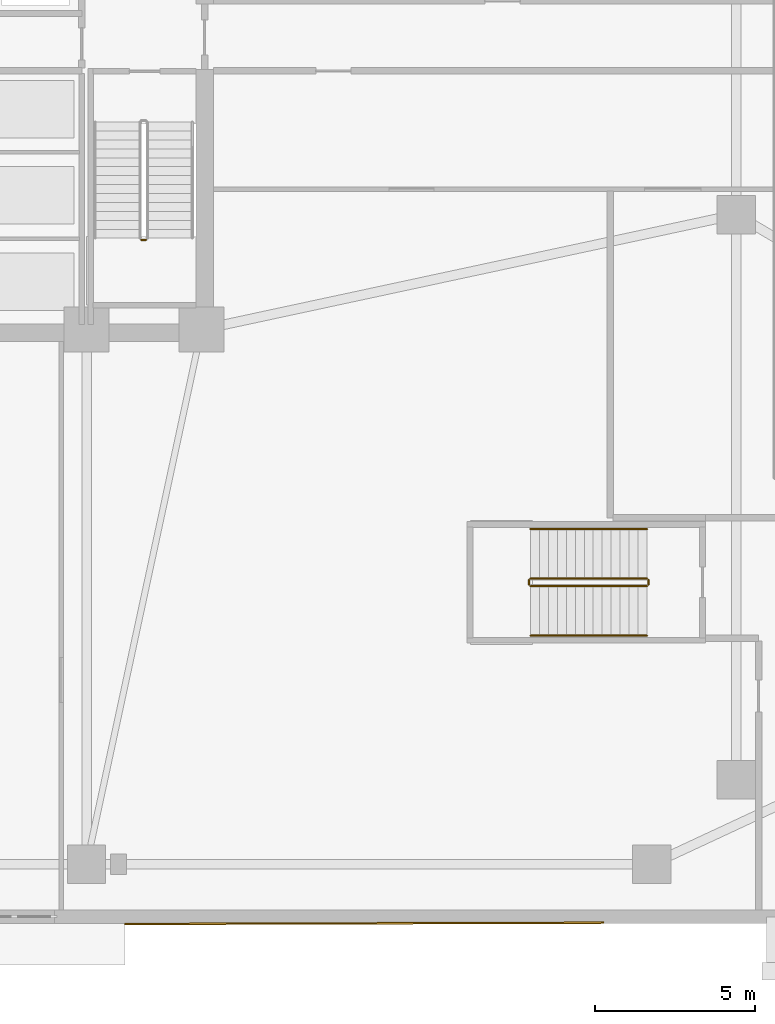
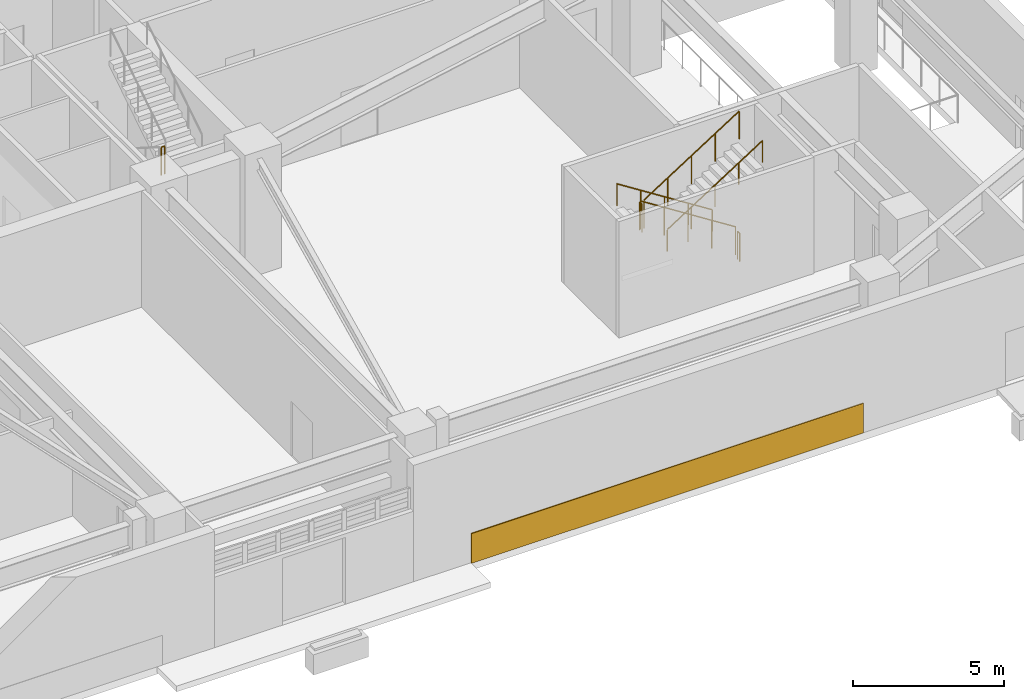
# One storey, part 15 of 21: 7 railings, 1 covering.
"""IFC4 building model written with IfcOpenShell, lengths in metres."""

from ifc_helpers import new_model, si_unit, direction, frame, frame_2d, origin, origin_2d, place, context, subcontext, project, spatial, rectangle, circle, extrude, material, layer, layer_set, type_object, element, save


model = new_model("IFC4")

# Units and contexts
model_context = context("Model", 3, precision=1e-05, world=origin(), true_north=direction((0.0, 1.0)))
body_context = subcontext(model_context, "Body", "Model", "MODEL_VIEW")
ifc_project = project(units=[si_unit("LENGTHUNIT", "METRE"), si_unit("AREAUNIT", "SQUARE_METRE"), si_unit("VOLUMEUNIT", "CUBIC_METRE"), si_unit("PLANEANGLEUNIT", "RADIAN"), si_unit("MASSUNIT", "GRAM", prefix="KILO")], contexts=[model_context])

# Site, building, storey
site_placement = place(None, origin())
site = spatial("IfcSite", under=ifc_project, at=site_placement, CompositionType="ELEMENT")
building_placement = place(site_placement, origin())
building = spatial("IfcBuilding", under=site, at=building_placement, Name="Cairnveth Concourse Tower", CompositionType="ELEMENT")
storey_placement = place(building_placement, origin())
storey = spatial("IfcBuildingStorey", under=building, at=storey_placement, Name="L00", CompositionType="ELEMENT", Elevation=0.0)

# Covering
ifc_material_1 = material(Name="Dressed Melbourne Bluestone Cladding", Category="masonry")
ifc_layer = layer(ifc_material_1, 0.050048828125)
ifc_layer_set = layer_set([ifc_layer], Name="Dressed Melbourne Bluestone Cladding")
covering_type = type_object("IfcCoveringType", Name="DRESSED BLUESTONE PLINTH CLADDING 50", PredefinedType="CLADDING", material=ifc_layer_set)
covering_placement = place(storey_placement, frame((58.0, 11.97998046875, 0.0), z_axis=(0.0, 0.0, 1.0), x_axis=(0.999996437516, 0.002669261324, 0.0)))
element("IfcCovering", 1, at=covering_placement, inside=storey, type_object=covering_type, Name="Melbourne Bluestone Plinth Cladding CL-L00-S2", PredefinedType="CLADDING", context=body_context, shape_type="SweptSolid", body=[
    extrude(rectangle(XDim=15.0, YDim=0.050048828125, at=frame_2d((7.5, 0.0))), origin(), (0.0, 0.0, 1.0), 1.199951171875),
])

# Railings
ifc_material_2 = material(Name="Steel Grade 350", Category="steel")
railing_type_1 = type_object("IfcRailingType", Name="STAIR GUARDRAIL 1150", PredefinedType="GUARDRAIL", material=ifc_material_2)
railing_1_placement = place(storey_placement, frame((58.52001953125, 33.409912109375, 2.5)))
element("IfcRailing", 2, at=railing_1_placement, inside=storey, type_object=railing_type_1, Name="L00 ST-2 stair guard 2", PredefinedType="GUARDRAIL", context=body_context, shape_type="SweptSolid", body=[
    extrude(circle(Radius=0.02392578125, at=origin_2d()), frame((0.0, 0.0, 1.1259765625), z_axis=(1.0, 0.0, 0.0), x_axis=(0.0, 1.0, 0.0)), (0.0, 0.0, 1.0), 0.139892578125),
    extrude(circle(Radius=0.02099609375, at=origin_2d()), origin(), (0.0, 0.0, 1.0), 1.101806640625),
    extrude(circle(Radius=0.02099609375, at=origin_2d()), frame((0.139892578125, 0.0, 0.0)), (0.0, 0.0, 1.0), 1.101806640625),
])
railing_2_placement = place(storey_placement, frame((74.35009765625, 22.800048828125, 0.178466796875)))
element("IfcRailing", 3, at=railing_2_placement, inside=storey, type_object=railing_type_1, Name="L00 ST-P2 stair guard 1", PredefinedType="GUARDRAIL", context=body_context, shape_type="SweptSolid", body=[
    extrude(circle(Radius=0.02392578125, at=origin_2d()), frame((0.0, 0.0, 1.1259765625), z_axis=(-0.843127859045, 0.0, 0.537713132908), x_axis=(0.0, -1.0, 0.0)), (0.0, 0.0, 1.0), 4.3173828125),
    extrude(circle(Radius=0.02099609375, at=origin_2d()), origin(), (0.0, 0.0, 1.0), 1.101806640625),
    extrude(circle(Radius=0.02099609375, at=origin_2d()), frame((-0.91015625, 0.0, 0.580322265625)), (0.0, 0.0, 1.0), 1.101806640625),
    extrude(circle(Radius=0.02099609375, at=origin_2d()), frame((-1.820068359375, 0.0, 1.16064453125)), (0.0, 0.0, 1.0), 1.101806640625),
    extrude(circle(Radius=0.02099609375, at=origin_2d()), frame((-2.72998046875, 0.0, 1.7412109375)), (0.0, 0.0, 1.0), 1.101806640625),
    extrude(circle(Radius=0.02099609375, at=origin_2d()), frame((-3.64013671875, 0.0, 2.321533203125)), (0.0, 0.0, 1.0), 1.101806640625),
])
railing_3_placement = place(storey_placement, frame((70.659912109375, 22.75, 2.5)))
element("IfcRailing", 4, at=railing_3_placement, inside=storey, type_object=railing_type_1, Name="L00 ST-P2 stair guard 2", PredefinedType="GUARDRAIL", context=body_context, shape_type="SweptSolid", body=[
    extrude(circle(Radius=0.02392578125, at=origin_2d()), frame((0.0, 0.0, 1.1259765625), z_axis=(0.0, -1.0, 0.0), x_axis=(1.0, 0.0, 0.0)), (0.0, 0.0, 1.0), 0.139892578125),
    extrude(circle(Radius=0.02099609375, at=origin_2d()), origin(), (0.0, 0.0, 1.0), 1.101806640625),
    extrude(circle(Radius=0.02099609375, at=origin_2d()), frame((0.0, -0.139892578125, 0.0)), (0.0, 0.0, 1.0), 1.101806640625),
])
railing_4_placement = place(storey_placement, frame((70.7099609375, 22.56005859375, 2.678466796875)))
element("IfcRailing", 5, at=railing_4_placement, inside=storey, type_object=railing_type_1, Name="L00 ST-P2 stair guard 3", PredefinedType="GUARDRAIL", context=body_context, shape_type="SweptSolid", body=[
    extrude(circle(Radius=0.02392578125, at=origin_2d()), frame((0.0, 0.0, 1.1259765625), z_axis=(0.843127859045, 0.0, 0.537713132908), x_axis=(0.0, 1.0, 0.0)), (0.0, 0.0, 1.0), 4.3173828125),
    extrude(circle(Radius=0.02099609375, at=origin_2d()), origin(), (0.0, 0.0, 1.0), 1.101806640625),
    extrude(circle(Radius=0.02099609375, at=origin_2d()), frame((0.91015625, 0.0, 0.580322265625)), (0.0, 0.0, 1.0), 1.101806640625),
    extrude(circle(Radius=0.02099609375, at=origin_2d()), frame((1.820068359375, 0.0, 1.16064453125)), (0.0, 0.0, 1.0), 1.101806640625),
    extrude(circle(Radius=0.02099609375, at=origin_2d()), frame((2.72998046875, 0.0, 1.7412109375)), (0.0, 0.0, 1.0), 1.101806640625),
    extrude(circle(Radius=0.02099609375, at=origin_2d()), frame((3.64013671875, 0.0, 2.321533203125)), (0.0, 0.0, 1.0), 1.101806640625),
])
railing_5_placement = place(storey_placement, frame((74.39990234375, 22.75, 0.0)))
element("IfcRailing", 6, at=railing_5_placement, inside=storey, type_object=railing_type_1, Name="L00 ST-P2 stair guard 4", PredefinedType="GUARDRAIL", context=body_context, shape_type="SweptSolid", body=[
    extrude(circle(Radius=0.02392578125, at=origin_2d()), frame((0.0, 0.0, 1.1259765625), z_axis=(0.0, -1.0, 0.0), x_axis=(1.0, 0.0, 0.0)), (0.0, 0.0, 1.0), 0.139892578125),
    extrude(circle(Radius=0.02099609375, at=origin_2d()), origin(), (0.0, 0.0, 1.0), 1.101806640625),
    extrude(circle(Radius=0.02099609375, at=origin_2d()), frame((0.0, -0.139892578125, 0.0)), (0.0, 0.0, 1.0), 1.101806640625),
])
railing_type_2 = type_object("IfcRailingType", Name="STAIR WALL HANDRAIL 900", PredefinedType="HANDRAIL", material=ifc_material_2)
railing_6_placement = place(storey_placement, frame((74.35009765625, 24.35009765625, 0.178466796875)))
element("IfcRailing", 7, at=railing_6_placement, inside=storey, type_object=railing_type_2, Name="L00 ST-P2 stair handrail 1", PredefinedType="HANDRAIL", context=body_context, shape_type="SweptSolid", body=[
    extrude(circle(Radius=0.02392578125, at=origin_2d()), frame((0.0, 0.0, 0.8759765625), z_axis=(-0.843127859045, 0.0, 0.537713132908), x_axis=(0.0, -1.0, 0.0)), (0.0, 0.0, 1.0), 4.3173828125),
    extrude(circle(Radius=0.02099609375, at=origin_2d()), origin(), (0.0, 0.0, 1.0), 0.851806640625),
    extrude(circle(Radius=0.02099609375, at=origin_2d()), frame((-0.91015625, 0.0, 0.580322265625)), (0.0, 0.0, 1.0), 0.851806640625),
    extrude(circle(Radius=0.02099609375, at=origin_2d()), frame((-1.820068359375, 0.0, 1.16064453125)), (0.0, 0.0, 1.0), 0.851806640625),
    extrude(circle(Radius=0.02099609375, at=origin_2d()), frame((-2.72998046875, 0.0, 1.7412109375)), (0.0, 0.0, 1.0), 0.851806640625),
    extrude(circle(Radius=0.02099609375, at=origin_2d()), frame((-3.64013671875, 0.0, 2.321533203125)), (0.0, 0.0, 1.0), 0.851806640625),
])
railing_7_placement = place(storey_placement, frame((70.7099609375, 21.010009765625, 2.678466796875)))
element("IfcRailing", 8, at=railing_7_placement, inside=storey, type_object=railing_type_2, Name="L00 ST-P2 stair handrail 2", PredefinedType="HANDRAIL", context=body_context, shape_type="SweptSolid", body=[
    extrude(circle(Radius=0.02392578125, at=origin_2d()), frame((0.0, 0.0, 0.8759765625), z_axis=(0.843127859045, 0.0, 0.537713132908), x_axis=(0.0, 1.0, 0.0)), (0.0, 0.0, 1.0), 4.3173828125),
    extrude(circle(Radius=0.02099609375, at=origin_2d()), origin(), (0.0, 0.0, 1.0), 0.851806640625),
    extrude(circle(Radius=0.02099609375, at=origin_2d()), frame((0.91015625, 0.0, 0.580322265625)), (0.0, 0.0, 1.0), 0.851806640625),
    extrude(circle(Radius=0.02099609375, at=origin_2d()), frame((1.820068359375, 0.0, 1.16064453125)), (0.0, 0.0, 1.0), 0.851806640625),
    extrude(circle(Radius=0.02099609375, at=origin_2d()), frame((2.72998046875, 0.0, 1.7412109375)), (0.0, 0.0, 1.0), 0.851806640625),
    extrude(circle(Radius=0.02099609375, at=origin_2d()), frame((3.64013671875, 0.0, 2.321533203125)), (0.0, 0.0, 1.0), 0.851806640625),
])

save(model, "model.ifc")
